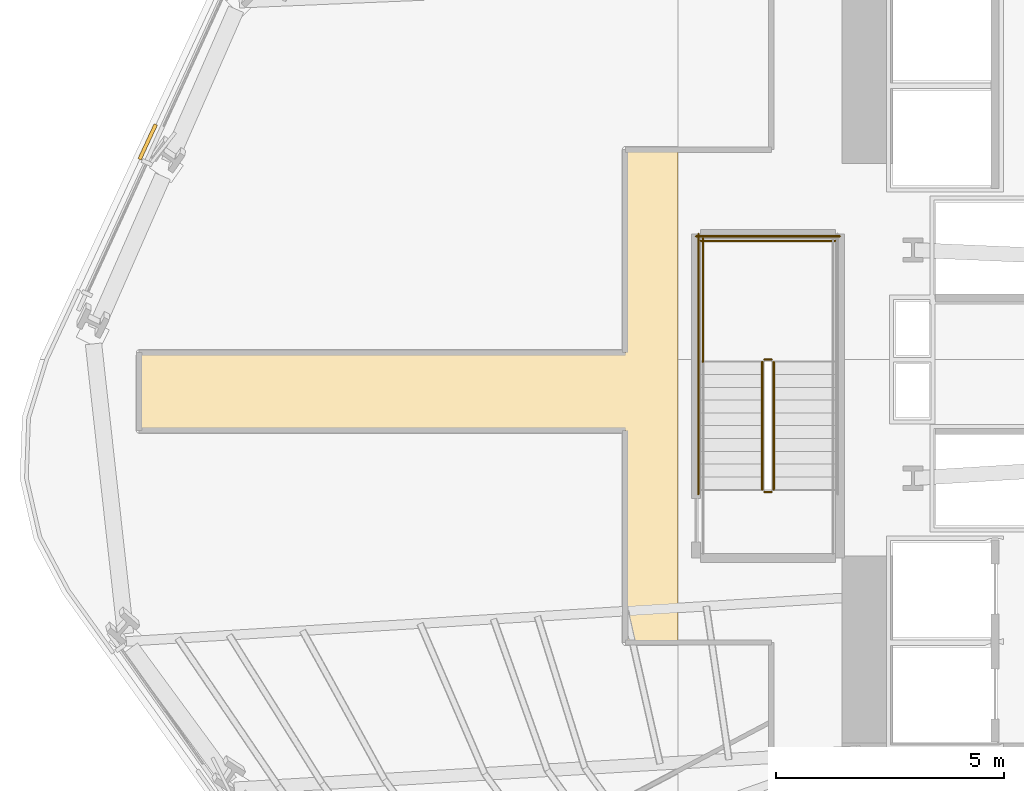
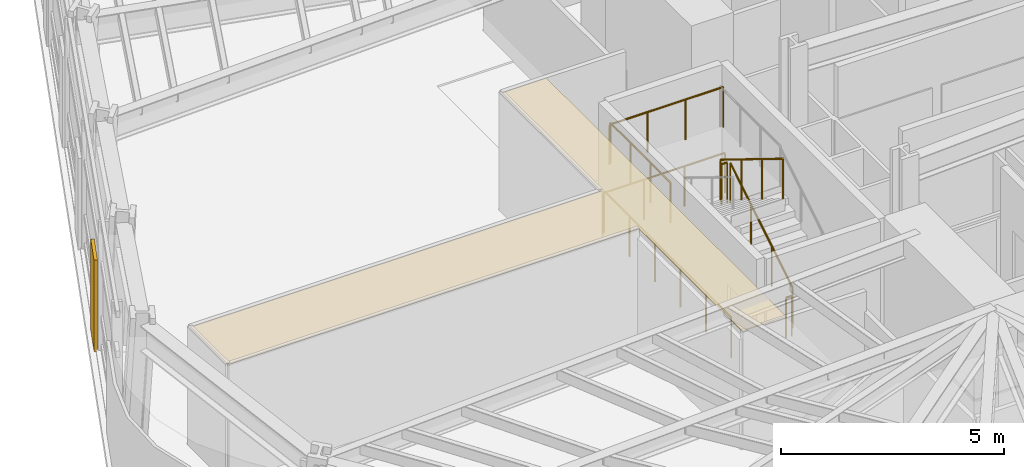
# One storey, part 11 of 16: 8 railings, 2 coverings.
"""IFC4 building model written with IfcOpenShell, lengths in metres."""

from ifc_helpers import new_model, si_unit, direction, frame, origin, origin_2d, place, context, subcontext, project, spatial, polyline, circle, outline, extrude, material, layer, layer_set, type_object, element, save


model = new_model("IFC4")

# Units and contexts
model_context = context("Model", 3, precision=1e-05, world=origin(), true_north=direction((0.0, 1.0)))
body_context = subcontext(model_context, "Body", "Model", "MODEL_VIEW")
ifc_project = project(units=[si_unit("LENGTHUNIT", "METRE"), si_unit("AREAUNIT", "SQUARE_METRE"), si_unit("VOLUMEUNIT", "CUBIC_METRE"), si_unit("PLANEANGLEUNIT", "RADIAN"), si_unit("MASSUNIT", "GRAM", prefix="KILO")], contexts=[model_context])

# Site, building, storey
site_placement = place(None, origin())
site = spatial("IfcSite", under=ifc_project, at=site_placement, CompositionType="ELEMENT")
building_placement = place(site_placement, origin())
building = spatial("IfcBuilding", under=site, at=building_placement, Name="Valkerne Bourse Tower", CompositionType="ELEMENT")
storey_placement = place(building_placement, frame((0.0, 0.0, 46.800048828125)))
storey = spatial("IfcBuildingStorey", under=building, at=storey_placement, Name="L11", CompositionType="ELEMENT", Elevation=46.800048828125)

# Coverings
ifc_material_1 = material(Name="Bronze Anodised Aluminium AA 6063-T6", Category="aluminium")
ifc_layer_1 = layer(ifc_material_1, 0.030029296875)
ifc_layer_set_1 = layer_set([ifc_layer_1], Name="Bronze Anodised Aluminium AA 6063-T6")
covering_type_1 = type_object("IfcCoveringType", Name="COV-CEIL-METAL", PredefinedType="CEILING", material=ifc_layer_set_1)
covering_1_placement = place(storey_placement, frame((0.0, 0.0, 3.22998046875)))
element("IfcCovering", 1, at=covering_1_placement, inside=storey, type_object=covering_type_1, Name="L11 Suspended Ceiling 02", PredefinedType="CEILING", context=body_context, shape_type="SweptSolid", body=[
    extrude(outline(polyline([(32.4541015625, 20.803955078125), (32.4541015625, 25.4541015625), (21.803955078125, 25.4541015625), (21.803955078125, 27.14599609375), (32.4541015625, 27.14599609375), (32.4541015625, 31.595947265625), (33.60009765625, 31.595947265625), (33.60009765625, 20.803955078125), (32.4541015625, 20.803955078125)])), origin(), (0.0, 0.0, 1.0), 0.02490234375),
])
ifc_layer_2 = layer(ifc_material_1, 0.06005859375)
ifc_layer_set_2 = layer_set([ifc_layer_2], Name="Bronze Anodised Aluminium AA 6063-T6")
covering_type_2 = type_object("IfcCoveringType", Name="COV-CRN-ALUM", PredefinedType="CLADDING", material=ifc_layer_set_2)
covering_2_placement = place(storey_placement, origin())
element("IfcCovering", 2, at=covering_2_placement, inside=storey, type_object=covering_type_2, Name="L11 Wind-Shaped Corner Aluminium Cladding 12", PredefinedType="CLADDING", context=body_context, shape_type="SweptSolid", body=[
    extrude(outline(polyline([(22.12548828125, 32.16650390625), (22.1982421875, 32.13330078125), (21.844482421875, 31.371337890625), (21.771728515625, 31.404541015625), (22.12548828125, 32.16650390625)])), origin(), (0.0, 0.0, 1.0), 2.5),
])

# Railings
ifc_material_2 = material(Name="Galvanised Painted Steel", Category="steel")
railing_type = type_object("IfcRailingType", Name="RLG-ST-GUARD-1120", PredefinedType="GUARDRAIL", material=ifc_material_2)
railing_1_placement = place(storey_placement, frame((35.699951171875, 24.14990234375, 0.172607421875)))
element("IfcRailing", 3, at=railing_1_placement, inside=storey, type_object=railing_type, Name="L11 ST-3 stair guard 1", PredefinedType="GUARDRAIL", context=body_context, shape_type="SweptSolid", body=[
    extrude(circle(Radius=0.02392578125, at=origin_2d()), frame((0.0, 0.0, 1.09619140625), z_axis=(0.0, 0.851089632645, 0.525020415988), x_axis=(-1.0, 0.0, 0.0)), (0.0, 0.0, 1.0), 3.2900390625),
    extrude(circle(Radius=0.02099609375, at=origin_2d()), origin(), (0.0, 0.0, 1.0), 1.072021484375),
    extrude(circle(Radius=0.02099609375, at=origin_2d()), frame((0.0, 0.933349609375, 0.57568359375)), (0.0, 0.0, 1.0), 1.072021484375),
    extrude(circle(Radius=0.02099609375, at=origin_2d()), frame((0.0, 1.86669921875, 1.151611328125)), (0.0, 0.0, 1.0), 1.072021484375),
    extrude(circle(Radius=0.02099609375, at=origin_2d()), frame((0.0, 2.800048828125, 1.727294921875)), (0.0, 0.0, 1.0), 1.072021484375),
])
railing_2_placement = place(storey_placement, frame((35.64990234375, 27.0, 1.89990234375)))
element("IfcRailing", 4, at=railing_2_placement, inside=storey, type_object=railing_type, Name="L11 ST-3 stair guard 2", PredefinedType="GUARDRAIL", context=body_context, shape_type="SweptSolid", body=[
    extrude(circle(Radius=0.02392578125, at=origin_2d()), frame((0.0, 0.0, 1.09619140625), z_axis=(-1.0, 0.0, 0.0), x_axis=(0.0, -1.0, 0.0)), (0.0, 0.0, 1.0), 0.14990234375),
    extrude(circle(Radius=0.02099609375, at=origin_2d()), origin(), (0.0, 0.0, 1.0), 1.072021484375),
    extrude(circle(Radius=0.02099609375, at=origin_2d()), frame((-0.14990234375, 0.0, 0.0)), (0.0, 0.0, 1.0), 1.072021484375),
])
railing_3_placement = place(storey_placement, frame((34.14990234375, 26.949951171875, 1.89990234375)))
element("IfcRailing", 5, at=railing_3_placement, inside=storey, type_object=railing_type, Name="L11 ST-3 stair guard 4", PredefinedType="GUARDRAIL", context=body_context, shape_type="SweptSolid", body=[
    extrude(circle(Radius=0.02392578125, at=origin_2d()), frame((0.0, 0.0, 1.09619140625), z_axis=(0.0, 1.0, 0.0), x_axis=(-1.0, 0.0, 0.0)), (0.0, 0.0, 1.0), 2.699951171875),
    extrude(circle(Radius=0.02099609375, at=origin_2d()), origin(), (0.0, 0.0, 1.0), 1.072021484375),
    extrude(circle(Radius=0.02099609375, at=origin_2d()), frame((0.0, 0.89990234375, 0.0)), (0.0, 0.0, 1.0), 1.072021484375),
    extrude(circle(Radius=0.02099609375, at=origin_2d()), frame((0.0, 1.800048828125, 0.0)), (0.0, 0.0, 1.0), 1.072021484375),
    extrude(circle(Radius=0.02099609375, at=origin_2d()), frame((0.0, 2.699951171875, 0.0)), (0.0, 0.0, 1.0), 1.072021484375),
])
railing_4_placement = place(storey_placement, frame((37.050048828125, 29.60009765625, 1.89990234375)))
element("IfcRailing", 6, at=railing_4_placement, inside=storey, type_object=railing_type, Name="L11 ST-3 stair guard 5", PredefinedType="GUARDRAIL", context=body_context, shape_type="SweptSolid", body=[
    extrude(circle(Radius=0.02392578125, at=origin_2d()), frame((0.0, 0.0, 1.09619140625), z_axis=(-1.0, 0.0, 0.0), x_axis=(0.0, -1.0, 0.0)), (0.0, 0.0, 1.0), 2.949951171875),
    extrude(circle(Radius=0.02099609375, at=origin_2d()), origin(), (0.0, 0.0, 1.0), 1.072021484375),
    extrude(circle(Radius=0.02099609375, at=origin_2d()), frame((-0.9833984375, 0.0, 0.0)), (0.0, 0.0, 1.0), 1.072021484375),
    extrude(circle(Radius=0.02099609375, at=origin_2d()), frame((-1.966552734375, 0.0, 0.0)), (0.0, 0.0, 1.0), 1.072021484375),
    extrude(circle(Radius=0.02099609375, at=origin_2d()), frame((-2.949951171875, 0.0, 0.0)), (0.0, 0.0, 1.0), 1.072021484375),
])
railing_5_placement = place(storey_placement, frame((35.449951171875, 26.949951171875, 2.07275390625)))
element("IfcRailing", 7, at=railing_5_placement, inside=storey, type_object=railing_type, Name="L11 ST-3 stair guard 6", PredefinedType="GUARDRAIL", context=body_context, shape_type="SweptSolid", body=[
    extrude(circle(Radius=0.02392578125, at=origin_2d()), frame((0.0, 0.0, 1.09619140625), z_axis=(0.0, -0.851089632645, 0.525020415988), x_axis=(1.0, 0.0, 0.0)), (0.0, 0.0, 1.0), 3.2900390625),
    extrude(circle(Radius=0.02099609375, at=origin_2d()), origin(), (0.0, 0.0, 1.0), 1.072021484375),
    extrude(circle(Radius=0.02099609375, at=origin_2d()), frame((0.0, -0.933349609375, 0.57568359375)), (0.0, 0.0, 1.0), 1.072021484375),
    extrude(circle(Radius=0.02099609375, at=origin_2d()), frame((0.0, -1.86669921875, 1.151611328125)), (0.0, 0.0, 1.0), 1.072021484375),
    extrude(circle(Radius=0.02099609375, at=origin_2d()), frame((0.0, -2.800048828125, 1.727294921875)), (0.0, 0.0, 1.0), 1.072021484375),
])
railing_6_placement = place(storey_placement, frame((35.64990234375, 24.10009765625, 0.0)))
element("IfcRailing", 8, at=railing_6_placement, inside=storey, type_object=railing_type, Name="L11 ST-3 stair guard 7", PredefinedType="GUARDRAIL", context=body_context, shape_type="SweptSolid", body=[
    extrude(circle(Radius=0.02392578125, at=origin_2d()), frame((0.0, 0.0, 1.09619140625), z_axis=(-1.0, 0.0, 0.0), x_axis=(0.0, -1.0, 0.0)), (0.0, 0.0, 1.0), 0.14990234375),
    extrude(circle(Radius=0.02099609375, at=origin_2d()), origin(), (0.0, 0.0, 1.0), 1.072021484375),
    extrude(circle(Radius=0.02099609375, at=origin_2d()), frame((-0.14990234375, 0.0, 0.0)), (0.0, 0.0, 1.0), 1.072021484375),
])
railing_7_placement = place(storey_placement, frame((34.050048828125, 24.050048828125, 0.0)))
element("IfcRailing", 9, at=railing_7_placement, inside=storey, type_object=railing_type, Name="L11 ST-3 stair guard 11", PredefinedType="GUARDRAIL", context=body_context, shape_type="SweptSolid", body=[
    extrude(circle(Radius=0.02392578125, at=origin_2d()), frame((0.0, 0.0, 1.09619140625), z_axis=(0.0, 1.0, 0.0), x_axis=(-1.0, 0.0, 0.0)), (0.0, 0.0, 1.0), 5.699951171875),
    extrude(circle(Radius=0.02099609375, at=origin_2d()), origin(), (0.0, 0.0, 1.0), 1.072021484375),
    extrude(circle(Radius=0.02099609375, at=origin_2d()), frame((0.0, 1.139892578125, 0.0)), (0.0, 0.0, 1.0), 1.072021484375),
    extrude(circle(Radius=0.02099609375, at=origin_2d()), frame((0.0, 2.280029296875, 0.0)), (0.0, 0.0, 1.0), 1.072021484375),
    extrude(circle(Radius=0.02099609375, at=origin_2d()), frame((0.0, 3.419921875, 0.0)), (0.0, 0.0, 1.0), 1.072021484375),
    extrude(circle(Radius=0.02099609375, at=origin_2d()), frame((0.0, 4.56005859375, 0.0)), (0.0, 0.0, 1.0), 1.072021484375),
    extrude(circle(Radius=0.02099609375, at=origin_2d()), frame((0.0, 5.699951171875, 0.0)), (0.0, 0.0, 1.0), 1.072021484375),
])
railing_8_placement = place(storey_placement, frame((37.14990234375, 29.699951171875, 0.0)))
element("IfcRailing", 10, at=railing_8_placement, inside=storey, type_object=railing_type, Name="L11 ST-3 stair guard 12", PredefinedType="GUARDRAIL", context=body_context, shape_type="SweptSolid", body=[
    extrude(circle(Radius=0.02392578125, at=origin_2d()), frame((0.0, 0.0, 1.09619140625), z_axis=(-1.0, 0.0, 0.0), x_axis=(0.0, -1.0, 0.0)), (0.0, 0.0, 1.0), 3.14990234375),
    extrude(circle(Radius=0.02099609375, at=origin_2d()), origin(), (0.0, 0.0, 1.0), 1.072021484375),
    extrude(circle(Radius=0.02099609375, at=origin_2d()), frame((-1.050048828125, 0.0, 0.0)), (0.0, 0.0, 1.0), 1.072021484375),
    extrude(circle(Radius=0.02099609375, at=origin_2d()), frame((-2.099853515625, 0.0, 0.0)), (0.0, 0.0, 1.0), 1.072021484375),
    extrude(circle(Radius=0.02099609375, at=origin_2d()), frame((-3.14990234375, 0.0, 0.0)), (0.0, 0.0, 1.0), 1.072021484375),
])

save(model, "model.ifc")
